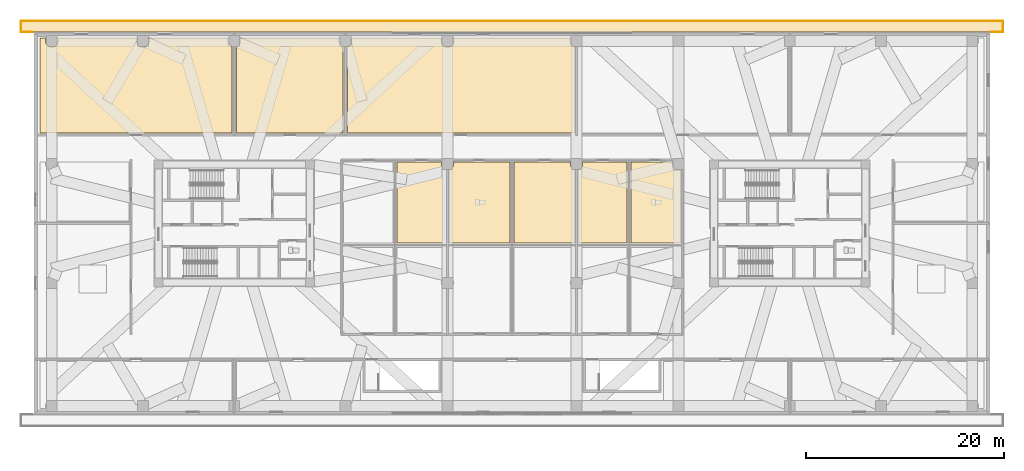
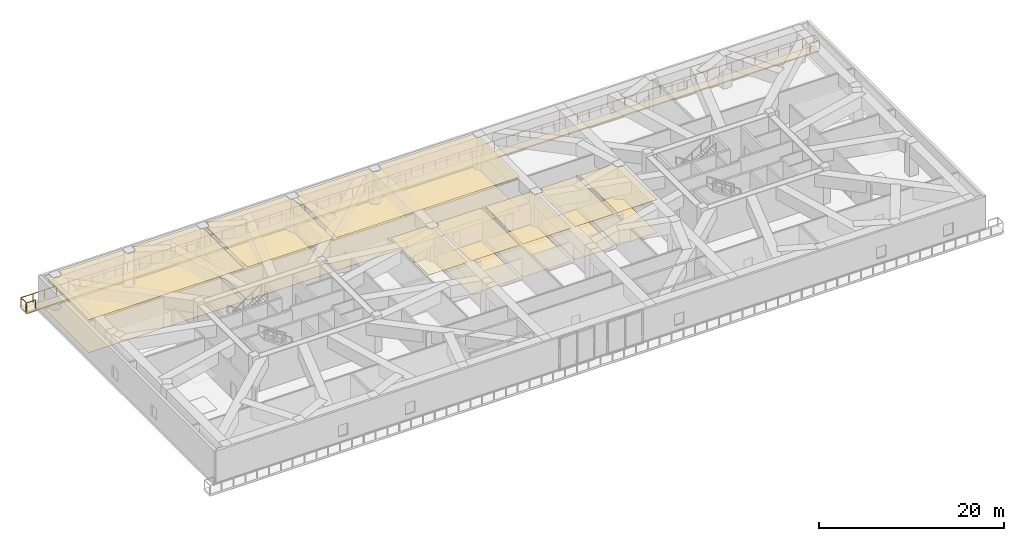
# One storey, part 17 of 21: 16 coverings, 2 railings.
"""IFC4 building model written with IfcOpenShell, lengths in metres."""

from ifc_helpers import new_model, si_unit, direction, frame, origin, origin_2d, place, context, subcontext, project, spatial, polyline, rectangle, outline, extrude, material, layer, layer_set, type_object, element, save


model = new_model("IFC4")

# Units and contexts
model_context = context("Model", 3, precision=1e-05, world=origin(), true_north=direction((0.0, 1.0)))
body_context = subcontext(model_context, "Body", "Model", "MODEL_VIEW")
ifc_project = project(units=[si_unit("LENGTHUNIT", "METRE"), si_unit("AREAUNIT", "SQUARE_METRE"), si_unit("VOLUMEUNIT", "CUBIC_METRE"), si_unit("PLANEANGLEUNIT", "RADIAN"), si_unit("MASSUNIT", "GRAM", prefix="KILO")], contexts=[model_context])

# Site, building, storey
site_placement = place(None, origin())
site = spatial("IfcSite", under=ifc_project, at=site_placement, CompositionType="ELEMENT")
building_placement = place(site_placement, origin())
building = spatial("IfcBuilding", under=site, at=building_placement, Name="Norrkilde Senior Care Towers", CompositionType="ELEMENT")
storey_placement = place(building_placement, frame((0.0, 0.0, 16.800048828125)))
storey = spatial("IfcBuildingStorey", under=building, at=storey_placement, Name="L04", CompositionType="ELEMENT", Elevation=16.800048828125)

# Coverings
ifc_material_1 = material(Name="Nordic Ash Timber", Category="wood")
ifc_layer_1 = layer(ifc_material_1, 0.044921875)
ifc_layer_set_1 = layer_set([ifc_layer_1], Name="Nordic Ash Timber")
covering_type_1 = type_object("IfcCoveringType", Name="Acoustic Ash Timber Slatted Ceiling 45", PredefinedType="CEILING", material=ifc_layer_set_1)
covering_1_placement = place(storey_placement, frame((0.0, 0.0, 4.3349609375)))
element("IfcCovering", 1, at=covering_1_placement, inside=storey, type_object=covering_type_1, Name="L04 Suspended Ceiling 0109", PredefinedType="CEILING", context=body_context, shape_type="SweptSolid", body=[
    extrude(outline(polyline([(11.580078125, -1.97998046875), (6.719970703125, -1.97998046875), (6.719970703125, 5.4150390625), (6.81494140625, 5.454345703125), (6.945556640625, 5.554443359375), (7.045654296875, 5.68505859375), (7.108642578125, 5.8369140625), (7.1298828125, 6.0), (7.108642578125, 6.1630859375), (7.1015625, 6.179931640625), (11.580078125, 6.179931640625), (11.580078125, -1.97998046875)])), origin(), (0.0, 0.0, 1.0), 0.044921875),
])
covering_2_placement = place(storey_placement, frame((0.0, 0.0, 4.3349609375)))
element("IfcCovering", 2, at=covering_2_placement, inside=storey, type_object=covering_type_1, Name="L04 Suspended Ceiling 0112", PredefinedType="CEILING", context=body_context, shape_type="SweptSolid", body=[
    extrude(outline(polyline([(-47.580078125, 18.679931640625), (-46.960205078125, 18.679931640625), (-47.008544921875, 18.56298828125), (-47.030029296875, 18.39990234375), (-47.008544921875, 18.237060546875), (-46.945556640625, 18.0849609375), (-46.845458984375, 17.95458984375), (-46.715087890625, 17.8544921875), (-46.56298828125, 17.79150390625), (-46.39990234375, 17.77001953125), (-46.237060546875, 17.79150390625), (-46.0849609375, 17.8544921875), (-45.95458984375, 17.95458984375), (-45.8544921875, 18.0849609375), (-45.79150390625, 18.237060546875), (-45.77001953125, 18.39990234375), (-45.79150390625, 18.56298828125), (-45.83984375, 18.679931640625), (-37.760009765625, 18.679931640625), (-37.80859375, 18.56298828125), (-37.830078125, 18.39990234375), (-37.80859375, 18.237060546875), (-37.74560546875, 18.0849609375), (-37.6455078125, 17.95458984375), (-37.514892578125, 17.8544921875), (-37.363037109375, 17.79150390625), (-37.199951171875, 17.77001953125), (-37.036865234375, 17.79150390625), (-36.885009765625, 17.8544921875), (-36.754638671875, 17.95458984375), (-36.654296875, 18.0849609375), (-36.591552734375, 18.237060546875), (-36.570068359375, 18.39990234375), (-36.591552734375, 18.56298828125), (-36.639892578125, 18.679931640625), (-28.56005859375, 18.679931640625), (-28.608642578125, 18.56298828125), (-28.6298828125, 18.39990234375), (-28.608642578125, 18.237060546875), (-28.545654296875, 18.0849609375), (-28.445556640625, 17.95458984375), (-28.31494140625, 17.8544921875), (-28.219970703125, 17.81494140625), (-28.219970703125, 9.1201171875), (-47.580078125, 9.1201171875), (-47.580078125, 18.679931640625)])), origin(), (0.0, 0.0, 1.0), 0.044921875),
])
covering_3_placement = place(storey_placement, frame((0.0, 0.0, 4.3349609375)))
element("IfcCovering", 3, at=covering_3_placement, inside=storey, type_object=covering_type_1, Name="L04 Suspended Ceiling 0113", PredefinedType="CEILING", context=body_context, shape_type="SweptSolid", body=[
    extrude(outline(polyline([(-27.780029296875, 9.1201171875), (-27.780029296875, 17.81494140625), (-27.68505859375, 17.8544921875), (-27.554443359375, 17.95458984375), (-27.454345703125, 18.0849609375), (-27.391357421875, 18.237060546875), (-27.3701171875, 18.39990234375), (-27.391357421875, 18.56298828125), (-27.43994140625, 18.679931640625), (-17.360107421875, 18.679931640625), (-17.408447265625, 18.56298828125), (-17.429931640625, 18.39990234375), (-17.408447265625, 18.237060546875), (-17.345703125, 18.0849609375), (-17.245361328125, 17.95458984375), (-17.114990234375, 17.8544921875), (-17.02001953125, 17.81494140625), (-17.02001953125, 9.1201171875), (-27.780029296875, 9.1201171875)])), origin(), (0.0, 0.0, 1.0), 0.044921875),
])

# Railings
ifc_material_2 = material(Name="Anodised Aluminium", Category="aluminium")
railing_type = type_object("IfcRailingType", Name="Balcony Swirl Ribbon Guardrail 1150", PredefinedType="GUARDRAIL", material=ifc_material_2)
railing_1_placement = place(storey_placement, frame((-49.52001953125, 19.284912109375, 0.0)))
element("IfcRailing", 4, at=railing_1_placement, inside=storey, type_object=railing_type, Name="L04 Perimeter Safety Guard 03", PredefinedType="GUARDRAIL", context=body_context, shape_type="SweptSolid", body=[
    extrude(rectangle(XDim=0.048095703125, YDim=0.048095703125, at=origin_2d()), frame((0.0, 0.0, 1.1259765625), z_axis=(0.0, 1.0, 0.0), x_axis=(-1.0, 0.0, 0.0)), (0.0, 0.0, 1.0), 1.09423828125),
    extrude(rectangle(XDim=0.048095703125, YDim=0.048095703125, at=origin_2d()), frame((0.040771484375, 1.135009765625, 1.1259765625), z_axis=(1.0, 0.0, 0.0), x_axis=(0.0, 1.0, 0.0)), (0.0, 0.0, 1.0), 98.958251953125),
    extrude(rectangle(XDim=0.048095703125, YDim=0.048095703125, at=origin_2d()), frame((99.0400390625, 1.09423828125, 1.1259765625), z_axis=(0.0, -1.0, 0.0), x_axis=(1.0, 0.0, 0.0)), (0.0, 0.0, 1.0), 1.05322265625),
    extrude(rectangle(XDim=0.048095703125, YDim=0.048095703125, at=origin_2d()), frame((98.999267578125, 0.0, 1.1259765625), z_axis=(-1.0, 0.0, 0.0), x_axis=(0.0, -1.0, 0.0)), (0.0, 0.0, 1.0), 1.12060546875),
    extrude(rectangle(XDim=0.0419921875, YDim=0.0419921875, at=origin_2d()), origin(), (0.0, 0.0, 1.0), 1.099853515625),
    extrude(rectangle(XDim=0.0419921875, YDim=0.0419921875, at=origin_2d()), frame((0.0, 1.135009765625, 0.0)), (0.0, 0.0, 1.0), 1.099853515625),
    extrude(rectangle(XDim=0.0419921875, YDim=0.0419921875, at=origin_2d()), frame((1.478271484375, 1.135009765625, 0.0)), (0.0, 0.0, 1.0), 1.099853515625),
    extrude(rectangle(XDim=0.0419921875, YDim=0.0419921875, at=origin_2d()), frame((2.956298828125, 1.135009765625, 0.0)), (0.0, 0.0, 1.0), 1.099853515625),
    extrude(rectangle(XDim=0.0419921875, YDim=0.0419921875, at=origin_2d()), frame((4.4345703125, 1.135009765625, 0.0)), (0.0, 0.0, 1.0), 1.099853515625),
    extrude(rectangle(XDim=0.0419921875, YDim=0.0419921875, at=origin_2d()), frame((5.912841796875, 1.135009765625, 0.0)), (0.0, 0.0, 1.0), 1.099853515625),
    extrude(rectangle(XDim=0.0419921875, YDim=0.0419921875, at=origin_2d()), frame((7.39111328125, 1.135009765625, 0.0)), (0.0, 0.0, 1.0), 1.099853515625),
    extrude(rectangle(XDim=0.0419921875, YDim=0.0419921875, at=origin_2d()), frame((8.869140625, 1.135009765625, 0.0)), (0.0, 0.0, 1.0), 1.099853515625),
    extrude(rectangle(XDim=0.0419921875, YDim=0.0419921875, at=origin_2d()), frame((10.347412109375, 1.135009765625, 0.0)), (0.0, 0.0, 1.0), 1.099853515625),
    extrude(rectangle(XDim=0.0419921875, YDim=0.0419921875, at=origin_2d()), frame((11.82568359375, 1.135009765625, 0.0)), (0.0, 0.0, 1.0), 1.099853515625),
    extrude(rectangle(XDim=0.0419921875, YDim=0.0419921875, at=origin_2d()), frame((13.303955078125, 1.135009765625, 0.0)), (0.0, 0.0, 1.0), 1.099853515625),
    extrude(rectangle(XDim=0.0419921875, YDim=0.0419921875, at=origin_2d()), frame((14.781982421875, 1.135009765625, 0.0)), (0.0, 0.0, 1.0), 1.099853515625),
    extrude(rectangle(XDim=0.0419921875, YDim=0.0419921875, at=origin_2d()), frame((16.26025390625, 1.135009765625, 0.0)), (0.0, 0.0, 1.0), 1.099853515625),
    extrude(rectangle(XDim=0.0419921875, YDim=0.0419921875, at=origin_2d()), frame((17.738525390625, 1.135009765625, 0.0)), (0.0, 0.0, 1.0), 1.099853515625),
    extrude(rectangle(XDim=0.0419921875, YDim=0.0419921875, at=origin_2d()), frame((19.216796875, 1.135009765625, 0.0)), (0.0, 0.0, 1.0), 1.099853515625),
    extrude(rectangle(XDim=0.0419921875, YDim=0.0419921875, at=origin_2d()), frame((20.69482421875, 1.135009765625, 0.0)), (0.0, 0.0, 1.0), 1.099853515625),
    extrude(rectangle(XDim=0.0419921875, YDim=0.0419921875, at=origin_2d()), frame((22.173095703125, 1.135009765625, 0.0)), (0.0, 0.0, 1.0), 1.099853515625),
    extrude(rectangle(XDim=0.0419921875, YDim=0.0419921875, at=origin_2d()), frame((23.6513671875, 1.135009765625, 0.0)), (0.0, 0.0, 1.0), 1.099853515625),
    extrude(rectangle(XDim=0.0419921875, YDim=0.0419921875, at=origin_2d()), frame((25.129638671875, 1.135009765625, 0.0)), (0.0, 0.0, 1.0), 1.099853515625),
    extrude(rectangle(XDim=0.0419921875, YDim=0.0419921875, at=origin_2d()), frame((26.607666015625, 1.135009765625, 0.0)), (0.0, 0.0, 1.0), 1.099853515625),
    extrude(rectangle(XDim=0.0419921875, YDim=0.0419921875, at=origin_2d()), frame((28.0859375, 1.135009765625, 0.0)), (0.0, 0.0, 1.0), 1.099853515625),
    extrude(rectangle(XDim=0.0419921875, YDim=0.0419921875, at=origin_2d()), frame((29.564208984375, 1.135009765625, 0.0)), (0.0, 0.0, 1.0), 1.099853515625),
    extrude(rectangle(XDim=0.0419921875, YDim=0.0419921875, at=origin_2d()), frame((31.04248046875, 1.135009765625, 0.0)), (0.0, 0.0, 1.0), 1.099853515625),
    extrude(rectangle(XDim=0.0419921875, YDim=0.0419921875, at=origin_2d()), frame((32.5205078125, 1.135009765625, 0.0)), (0.0, 0.0, 1.0), 1.099853515625),
    extrude(rectangle(XDim=0.0419921875, YDim=0.0419921875, at=origin_2d()), frame((33.998779296875, 1.135009765625, 0.0)), (0.0, 0.0, 1.0), 1.099853515625),
    extrude(rectangle(XDim=0.0419921875, YDim=0.0419921875, at=origin_2d()), frame((35.47705078125, 1.135009765625, 0.0)), (0.0, 0.0, 1.0), 1.099853515625),
    extrude(rectangle(XDim=0.0419921875, YDim=0.0419921875, at=origin_2d()), frame((36.955322265625, 1.135009765625, 0.0)), (0.0, 0.0, 1.0), 1.099853515625),
    extrude(rectangle(XDim=0.0419921875, YDim=0.0419921875, at=origin_2d()), frame((38.433349609375, 1.135009765625, 0.0)), (0.0, 0.0, 1.0), 1.099853515625),
    extrude(rectangle(XDim=0.0419921875, YDim=0.0419921875, at=origin_2d()), frame((39.91162109375, 1.135009765625, 0.0)), (0.0, 0.0, 1.0), 1.099853515625),
    extrude(rectangle(XDim=0.0419921875, YDim=0.0419921875, at=origin_2d()), frame((41.389892578125, 1.135009765625, 0.0)), (0.0, 0.0, 1.0), 1.099853515625),
    extrude(rectangle(XDim=0.0419921875, YDim=0.0419921875, at=origin_2d()), frame((42.8681640625, 1.135009765625, 0.0)), (0.0, 0.0, 1.0), 1.099853515625),
    extrude(rectangle(XDim=0.0419921875, YDim=0.0419921875, at=origin_2d()), frame((44.34619140625, 1.135009765625, 0.0)), (0.0, 0.0, 1.0), 1.099853515625),
    extrude(rectangle(XDim=0.0419921875, YDim=0.0419921875, at=origin_2d()), frame((45.824462890625, 1.135009765625, 0.0)), (0.0, 0.0, 1.0), 1.099853515625),
    extrude(rectangle(XDim=0.0419921875, YDim=0.0419921875, at=origin_2d()), frame((47.302734375, 1.135009765625, 0.0)), (0.0, 0.0, 1.0), 1.099853515625),
    extrude(rectangle(XDim=0.0419921875, YDim=0.0419921875, at=origin_2d()), frame((48.781005859375, 1.135009765625, 0.0)), (0.0, 0.0, 1.0), 1.099853515625),
    extrude(rectangle(XDim=0.0419921875, YDim=0.0419921875, at=origin_2d()), frame((50.259033203125, 1.135009765625, 0.0)), (0.0, 0.0, 1.0), 1.099853515625),
    extrude(rectangle(XDim=0.0419921875, YDim=0.0419921875, at=origin_2d()), frame((51.7373046875, 1.135009765625, 0.0)), (0.0, 0.0, 1.0), 1.099853515625),
    extrude(rectangle(XDim=0.0419921875, YDim=0.0419921875, at=origin_2d()), frame((53.215576171875, 1.135009765625, 0.0)), (0.0, 0.0, 1.0), 1.099853515625),
    extrude(rectangle(XDim=0.0419921875, YDim=0.0419921875, at=origin_2d()), frame((54.69384765625, 1.135009765625, 0.0)), (0.0, 0.0, 1.0), 1.099853515625),
    extrude(rectangle(XDim=0.0419921875, YDim=0.0419921875, at=origin_2d()), frame((56.171875, 1.135009765625, 0.0)), (0.0, 0.0, 1.0), 1.099853515625),
    extrude(rectangle(XDim=0.0419921875, YDim=0.0419921875, at=origin_2d()), frame((57.650146484375, 1.135009765625, 0.0)), (0.0, 0.0, 1.0), 1.099853515625),
    extrude(rectangle(XDim=0.0419921875, YDim=0.0419921875, at=origin_2d()), frame((59.12841796875, 1.135009765625, 0.0)), (0.0, 0.0, 1.0), 1.099853515625),
    extrude(rectangle(XDim=0.0419921875, YDim=0.0419921875, at=origin_2d()), frame((60.606689453125, 1.135009765625, 0.0)), (0.0, 0.0, 1.0), 1.099853515625),
    extrude(rectangle(XDim=0.0419921875, YDim=0.0419921875, at=origin_2d()), frame((62.084716796875, 1.135009765625, 0.0)), (0.0, 0.0, 1.0), 1.099853515625),
    extrude(rectangle(XDim=0.0419921875, YDim=0.0419921875, at=origin_2d()), frame((63.56298828125, 1.135009765625, 0.0)), (0.0, 0.0, 1.0), 1.099853515625),
    extrude(rectangle(XDim=0.0419921875, YDim=0.0419921875, at=origin_2d()), frame((65.041259765625, 1.135009765625, 0.0)), (0.0, 0.0, 1.0), 1.099853515625),
    extrude(rectangle(XDim=0.0419921875, YDim=0.0419921875, at=origin_2d()), frame((66.51953125, 1.135009765625, 0.0)), (0.0, 0.0, 1.0), 1.099853515625),
    extrude(rectangle(XDim=0.0419921875, YDim=0.0419921875, at=origin_2d()), frame((67.99755859375, 1.135009765625, 0.0)), (0.0, 0.0, 1.0), 1.099853515625),
    extrude(rectangle(XDim=0.0419921875, YDim=0.0419921875, at=origin_2d()), frame((69.475830078125, 1.135009765625, 0.0)), (0.0, 0.0, 1.0), 1.099853515625),
    extrude(rectangle(XDim=0.0419921875, YDim=0.0419921875, at=origin_2d()), frame((70.9541015625, 1.135009765625, 0.0)), (0.0, 0.0, 1.0), 1.099853515625),
    extrude(rectangle(XDim=0.0419921875, YDim=0.0419921875, at=origin_2d()), frame((72.432373046875, 1.135009765625, 0.0)), (0.0, 0.0, 1.0), 1.099853515625),
    extrude(rectangle(XDim=0.0419921875, YDim=0.0419921875, at=origin_2d()), frame((73.910400390625, 1.135009765625, 0.0)), (0.0, 0.0, 1.0), 1.099853515625),
    extrude(rectangle(XDim=0.0419921875, YDim=0.0419921875, at=origin_2d()), frame((75.388671875, 1.135009765625, 0.0)), (0.0, 0.0, 1.0), 1.099853515625),
    extrude(rectangle(XDim=0.0419921875, YDim=0.0419921875, at=origin_2d()), frame((76.866943359375, 1.135009765625, 0.0)), (0.0, 0.0, 1.0), 1.099853515625),
    extrude(rectangle(XDim=0.0419921875, YDim=0.0419921875, at=origin_2d()), frame((78.34521484375, 1.135009765625, 0.0)), (0.0, 0.0, 1.0), 1.099853515625),
    extrude(rectangle(XDim=0.0419921875, YDim=0.0419921875, at=origin_2d()), frame((79.8232421875, 1.135009765625, 0.0)), (0.0, 0.0, 1.0), 1.099853515625),
    extrude(rectangle(XDim=0.0419921875, YDim=0.0419921875, at=origin_2d()), frame((81.301513671875, 1.135009765625, 0.0)), (0.0, 0.0, 1.0), 1.099853515625),
    extrude(rectangle(XDim=0.0419921875, YDim=0.0419921875, at=origin_2d()), frame((82.77978515625, 1.135009765625, 0.0)), (0.0, 0.0, 1.0), 1.099853515625),
    extrude(rectangle(XDim=0.0419921875, YDim=0.0419921875, at=origin_2d()), frame((84.258056640625, 1.135009765625, 0.0)), (0.0, 0.0, 1.0), 1.099853515625),
    extrude(rectangle(XDim=0.0419921875, YDim=0.0419921875, at=origin_2d()), frame((85.736083984375, 1.135009765625, 0.0)), (0.0, 0.0, 1.0), 1.099853515625),
    extrude(rectangle(XDim=0.0419921875, YDim=0.0419921875, at=origin_2d()), frame((87.21435546875, 1.135009765625, 0.0)), (0.0, 0.0, 1.0), 1.099853515625),
    extrude(rectangle(XDim=0.0419921875, YDim=0.0419921875, at=origin_2d()), frame((88.692626953125, 1.135009765625, 0.0)), (0.0, 0.0, 1.0), 1.099853515625),
    extrude(rectangle(XDim=0.0419921875, YDim=0.0419921875, at=origin_2d()), frame((90.1708984375, 1.135009765625, 0.0)), (0.0, 0.0, 1.0), 1.099853515625),
    extrude(rectangle(XDim=0.0419921875, YDim=0.0419921875, at=origin_2d()), frame((91.64892578125, 1.135009765625, 0.0)), (0.0, 0.0, 1.0), 1.099853515625),
    extrude(rectangle(XDim=0.0419921875, YDim=0.0419921875, at=origin_2d()), frame((93.127197265625, 1.135009765625, 0.0)), (0.0, 0.0, 1.0), 1.099853515625),
    extrude(rectangle(XDim=0.0419921875, YDim=0.0419921875, at=origin_2d()), frame((94.60546875, 1.135009765625, 0.0)), (0.0, 0.0, 1.0), 1.099853515625),
    extrude(rectangle(XDim=0.0419921875, YDim=0.0419921875, at=origin_2d()), frame((96.083740234375, 1.135009765625, 0.0)), (0.0, 0.0, 1.0), 1.099853515625),
    extrude(rectangle(XDim=0.0419921875, YDim=0.0419921875, at=origin_2d()), frame((97.561767578125, 1.135009765625, 0.0)), (0.0, 0.0, 1.0), 1.099853515625),
    extrude(rectangle(XDim=0.0419921875, YDim=0.0419921875, at=origin_2d()), frame((99.0400390625, 1.135009765625, 0.0)), (0.0, 0.0, 1.0), 1.099853515625),
    extrude(rectangle(XDim=0.0419921875, YDim=0.0419921875, at=origin_2d()), frame((99.0400390625, 0.0, 0.0)), (0.0, 0.0, 1.0), 1.099853515625),
    extrude(rectangle(XDim=0.0419921875, YDim=0.0419921875, at=origin_2d()), frame((97.878662109375, 0.0, 0.0)), (0.0, 0.0, 1.0), 1.099853515625),
])
railing_2_placement = place(storey_placement, frame((-48.358642578125, 19.284912109375, 0.0)))
element("IfcRailing", 5, at=railing_2_placement, inside=storey, type_object=railing_type, Name="L04 Perimeter Safety Guard 04", PredefinedType="GUARDRAIL", context=body_context, shape_type="SweptSolid", body=[
    extrude(rectangle(XDim=0.048095703125, YDim=0.048095703125, at=origin_2d()), frame((0.0, 0.0, 1.1259765625), z_axis=(-1.0, 0.0, 0.0), x_axis=(0.0, -1.0, 0.0)), (0.0, 0.0, 1.0), 1.161376953125),
    extrude(rectangle(XDim=0.0419921875, YDim=0.0419921875, at=origin_2d()), origin(), (0.0, 0.0, 1.0), 1.099853515625),
    extrude(rectangle(XDim=0.0419921875, YDim=0.0419921875, at=origin_2d()), frame((-1.161376953125, 0.0, 0.0)), (0.0, 0.0, 1.0), 1.099853515625),
])

# Coverings
ifc_material_3 = material(Name="EPDM Waterproofing and PIR Insulation")
ifc_layer_2 = layer(ifc_material_3, 0.159912109375)
ifc_layer_set_2 = layer_set([ifc_layer_2], Name="EPDM Waterproofing and PIR Insulation")
covering_type_2 = type_object("IfcCoveringType", Name="Insulated EPDM Roof Membrane 160", PredefinedType="ROOFING", material=ifc_layer_set_2)
covering_4_placement = place(storey_placement, frame((0.0, 0.0, -0.39013671875)))
element("IfcCovering", 6, at=covering_4_placement, inside=storey, type_object=covering_type_2, Name="L04 N Terrace Waterproof Membrane", PredefinedType="ROOFING", context=body_context, shape_type="SweptSolid", body=[
    extrude(outline(polyline([(-49.5, 19.304931640625), (49.5, 19.304931640625), (49.5, 20.39990234375), (-49.5, 20.39990234375), (-49.5, 19.304931640625)])), origin(), (0.0, 0.0, 1.0), 0.16015625),
])
ifc_material_4 = material(Name="Gypsum Acoustic Board")
ifc_layer_3 = layer(ifc_material_4, 0.030029296875)
ifc_layer_set_3 = layer_set([ifc_layer_3], Name="Gypsum Acoustic Board")
covering_type_3 = type_object("IfcCoveringType", Name="Medical Cleanable Gypsum Ceiling 30", PredefinedType="CEILING", material=ifc_layer_set_3)
covering_5_placement = place(storey_placement, frame((0.0, 0.0, 4.349853515625)))
element("IfcCovering", 7, at=covering_5_placement, inside=storey, type_object=covering_type_3, Name="L04 Suspended Ceiling 0103", PredefinedType="CEILING", context=body_context, shape_type="SweptSolid", body=[
    extrude(outline(polyline([(-6.719970703125, -1.97998046875), (-11.580078125, -1.97998046875), (-11.580078125, 6.179931640625), (-7.1015625, 6.179931640625), (-7.108642578125, 6.1630859375), (-7.1298828125, 6.0), (-7.108642578125, 5.8369140625), (-7.045654296875, 5.68505859375), (-6.945556640625, 5.554443359375), (-6.81494140625, 5.454345703125), (-6.719970703125, 5.4150390625), (-6.719970703125, -1.97998046875)])), origin(), (0.0, 0.0, 1.0), 0.030029296875),
])
covering_6_placement = place(storey_placement, frame((0.0, 0.0, 4.349853515625)))
element("IfcCovering", 8, at=covering_6_placement, inside=storey, type_object=covering_type_3, Name="L04 Suspended Ceiling 0105", PredefinedType="CEILING", context=body_context, shape_type="SweptSolid", body=[
    extrude(outline(polyline([(-0.219970703125, -1.97998046875), (-6.280029296875, -1.97998046875), (-6.280029296875, 5.4150390625), (-6.18505859375, 5.454345703125), (-6.054443359375, 5.554443359375), (-5.954345703125, 5.68505859375), (-5.891357421875, 5.8369140625), (-5.8701171875, 6.0), (-5.891357421875, 6.1630859375), (-5.8984375, 6.179931640625), (-0.219970703125, 6.179931640625), (-0.219970703125, -1.97998046875)])), origin(), (0.0, 0.0, 1.0), 0.030029296875),
])
covering_7_placement = place(storey_placement, frame((0.0, 0.0, 4.349853515625)))
element("IfcCovering", 9, at=covering_7_placement, inside=storey, type_object=covering_type_3, Name="L04 Suspended Ceiling 0107", PredefinedType="CEILING", context=body_context, shape_type="SweptSolid", body=[
    extrude(outline(polyline([(6.280029296875, -1.97998046875), (0.219970703125, -1.97998046875), (0.219970703125, 6.179931640625), (5.8984375, 6.179931640625), (5.891357421875, 6.1630859375), (5.8701171875, 6.0), (5.891357421875, 5.8369140625), (5.954345703125, 5.68505859375), (6.054443359375, 5.554443359375), (6.18505859375, 5.454345703125), (6.280029296875, 5.4150390625), (6.280029296875, -1.97998046875)])), origin(), (0.0, 0.0, 1.0), 0.030029296875),
])
covering_8_placement = place(storey_placement, frame((0.0, 0.0, 4.349853515625)))
element("IfcCovering", 10, at=covering_8_placement, inside=storey, type_object=covering_type_3, Name="L04 Suspended Ceiling 0111", PredefinedType="CEILING", context=body_context, shape_type="SweptSolid", body=[
    extrude(outline(polyline([(16.97998046875, -1.97998046875), (12.02001953125, -1.97998046875), (12.02001953125, 6.179931640625), (16.198486328125, 6.179931640625), (16.19140625, 6.1630859375), (16.169921875, 6.0), (16.19140625, 5.8369140625), (16.25439453125, 5.68505859375), (16.3544921875, 5.554443359375), (16.485107421875, 5.454345703125), (16.636962890625, 5.391357421875), (16.800048828125, 5.3701171875), (16.963134765625, 5.391357421875), (16.97998046875, 5.3984375), (16.97998046875, -1.97998046875)])), origin(), (0.0, 0.0, 1.0), 0.030029296875),
])
covering_9_placement = place(storey_placement, frame((0.0, 0.0, 4.349853515625)))
element("IfcCovering", 11, at=covering_9_placement, inside=storey, type_object=covering_type_3, Name="L04 Suspended Ceiling 0114", PredefinedType="CEILING", context=body_context, shape_type="SweptSolid", body=[
    extrude(outline(polyline([(-16.580078125, 17.81494140625), (-16.485107421875, 17.8544921875), (-16.3544921875, 17.95458984375), (-16.25439453125, 18.0849609375), (-16.19140625, 18.237060546875), (-16.169921875, 18.39990234375), (-16.19140625, 18.56298828125), (-16.239990234375, 18.679931640625), (-7.06005859375, 18.679931640625), (-7.108642578125, 18.56298828125), (-7.1298828125, 18.39990234375), (-7.108642578125, 18.237060546875), (-7.045654296875, 18.0849609375), (-6.945556640625, 17.95458984375), (-6.81494140625, 17.8544921875), (-6.6630859375, 17.79150390625), (-6.5, 17.77001953125), (-6.3369140625, 17.79150390625), (-6.18505859375, 17.8544921875), (-6.054443359375, 17.95458984375), (-5.954345703125, 18.0849609375), (-5.891357421875, 18.237060546875), (-5.8701171875, 18.39990234375), (-5.891357421875, 18.56298828125), (-5.93994140625, 18.679931640625), (5.93994140625, 18.679931640625), (5.891357421875, 18.56298828125), (5.8701171875, 18.39990234375), (5.891357421875, 18.237060546875), (5.954345703125, 18.0849609375), (6.054443359375, 17.95458984375), (6.18505859375, 17.8544921875), (6.280029296875, 17.81494140625), (6.280029296875, 9.1201171875), (-16.580078125, 9.1201171875), (-16.580078125, 17.81494140625)])), origin(), (0.0, 0.0, 1.0), 0.030029296875),
])
ifc_material_5 = material(Name="Slip-Resistant Porcelain Stone", Category="masonry")
ifc_layer_4 = layer(ifc_material_5, 0.02490234375)
ifc_layer_set_4 = layer_set([ifc_layer_4], Name="Slip-Resistant Porcelain Stone")
covering_type_4 = type_object("IfcCoveringType", Name="Slip-Resistant Porcelain Flooring 25", PredefinedType="FLOORING", material=ifc_layer_set_4)
covering_10_placement = place(storey_placement, origin())
element("IfcCovering", 12, at=covering_10_placement, inside=storey, type_object=covering_type_4, Name="L04 Floor Finish 0105", PredefinedType="FLOORING", context=body_context, shape_type="SweptSolid", body=[
    extrude(outline(polyline([(-0.219970703125, -1.97998046875), (-6.280029296875, -1.97998046875), (-6.280029296875, 5.4150390625), (-6.18505859375, 5.454345703125), (-6.054443359375, 5.554443359375), (-5.954345703125, 5.68505859375), (-5.891357421875, 5.8369140625), (-5.8701171875, 6.0), (-5.891357421875, 6.1630859375), (-5.8984375, 6.179931640625), (-0.219970703125, 6.179931640625), (-0.219970703125, -1.97998046875)])), origin(), (0.0, 0.0, 1.0), 0.02490234375),
])
covering_11_placement = place(storey_placement, origin())
element("IfcCovering", 13, at=covering_11_placement, inside=storey, type_object=covering_type_4, Name="L04 Floor Finish 0107", PredefinedType="FLOORING", context=body_context, shape_type="SweptSolid", body=[
    extrude(outline(polyline([(6.280029296875, -1.97998046875), (0.219970703125, -1.97998046875), (0.219970703125, 6.179931640625), (5.8984375, 6.179931640625), (5.891357421875, 6.1630859375), (5.8701171875, 6.0), (5.891357421875, 5.8369140625), (5.954345703125, 5.68505859375), (6.054443359375, 5.554443359375), (6.18505859375, 5.454345703125), (6.280029296875, 5.4150390625), (6.280029296875, -1.97998046875)])), origin(), (0.0, 0.0, 1.0), 0.02490234375),
])
covering_12_placement = place(storey_placement, origin())
element("IfcCovering", 14, at=covering_12_placement, inside=storey, type_object=covering_type_4, Name="L04 Floor Finish 0109", PredefinedType="FLOORING", context=body_context, shape_type="SweptSolid", body=[
    extrude(outline(polyline([(11.580078125, -1.97998046875), (6.719970703125, -1.97998046875), (6.719970703125, 5.4150390625), (6.81494140625, 5.454345703125), (6.945556640625, 5.554443359375), (7.045654296875, 5.68505859375), (7.108642578125, 5.8369140625), (7.1298828125, 6.0), (7.108642578125, 6.1630859375), (7.1015625, 6.179931640625), (11.580078125, 6.179931640625), (11.580078125, -1.97998046875)])), origin(), (0.0, 0.0, 1.0), 0.02490234375),
])
covering_13_placement = place(storey_placement, origin())
element("IfcCovering", 15, at=covering_13_placement, inside=storey, type_object=covering_type_4, Name="L04 Floor Finish 0111", PredefinedType="FLOORING", context=body_context, shape_type="SweptSolid", body=[
    extrude(outline(polyline([(16.97998046875, -1.97998046875), (12.02001953125, -1.97998046875), (12.02001953125, 6.179931640625), (16.198486328125, 6.179931640625), (16.19140625, 6.1630859375), (16.169921875, 6.0), (16.19140625, 5.8369140625), (16.25439453125, 5.68505859375), (16.3544921875, 5.554443359375), (16.485107421875, 5.454345703125), (16.636962890625, 5.391357421875), (16.800048828125, 5.3701171875), (16.963134765625, 5.391357421875), (16.97998046875, 5.3984375), (16.97998046875, -1.97998046875)])), origin(), (0.0, 0.0, 1.0), 0.02490234375),
])
covering_14_placement = place(storey_placement, origin())
element("IfcCovering", 16, at=covering_14_placement, inside=storey, type_object=covering_type_4, Name="L04 Floor Finish 0112", PredefinedType="FLOORING", context=body_context, shape_type="SweptSolid", body=[
    extrude(outline(polyline([(-47.580078125, 18.679931640625), (-46.960205078125, 18.679931640625), (-47.008544921875, 18.56298828125), (-47.030029296875, 18.39990234375), (-47.008544921875, 18.237060546875), (-46.945556640625, 18.0849609375), (-46.845458984375, 17.95458984375), (-46.715087890625, 17.8544921875), (-46.56298828125, 17.79150390625), (-46.39990234375, 17.77001953125), (-46.237060546875, 17.79150390625), (-46.0849609375, 17.8544921875), (-45.95458984375, 17.95458984375), (-45.8544921875, 18.0849609375), (-45.79150390625, 18.237060546875), (-45.77001953125, 18.39990234375), (-45.79150390625, 18.56298828125), (-45.83984375, 18.679931640625), (-37.760009765625, 18.679931640625), (-37.80859375, 18.56298828125), (-37.830078125, 18.39990234375), (-37.80859375, 18.237060546875), (-37.74560546875, 18.0849609375), (-37.6455078125, 17.95458984375), (-37.514892578125, 17.8544921875), (-37.363037109375, 17.79150390625), (-37.199951171875, 17.77001953125), (-37.036865234375, 17.79150390625), (-36.885009765625, 17.8544921875), (-36.754638671875, 17.95458984375), (-36.654296875, 18.0849609375), (-36.591552734375, 18.237060546875), (-36.570068359375, 18.39990234375), (-36.591552734375, 18.56298828125), (-36.639892578125, 18.679931640625), (-28.56005859375, 18.679931640625), (-28.608642578125, 18.56298828125), (-28.6298828125, 18.39990234375), (-28.608642578125, 18.237060546875), (-28.545654296875, 18.0849609375), (-28.445556640625, 17.95458984375), (-28.31494140625, 17.8544921875), (-28.219970703125, 17.81494140625), (-28.219970703125, 9.1201171875), (-47.580078125, 9.1201171875), (-47.580078125, 18.679931640625)])), origin(), (0.0, 0.0, 1.0), 0.02490234375),
])
covering_15_placement = place(storey_placement, origin())
element("IfcCovering", 17, at=covering_15_placement, inside=storey, type_object=covering_type_4, Name="L04 Floor Finish 0113", PredefinedType="FLOORING", context=body_context, shape_type="SweptSolid", body=[
    extrude(outline(polyline([(-27.780029296875, 9.1201171875), (-27.780029296875, 17.81494140625), (-27.68505859375, 17.8544921875), (-27.554443359375, 17.95458984375), (-27.454345703125, 18.0849609375), (-27.391357421875, 18.237060546875), (-27.3701171875, 18.39990234375), (-27.391357421875, 18.56298828125), (-27.43994140625, 18.679931640625), (-17.360107421875, 18.679931640625), (-17.408447265625, 18.56298828125), (-17.429931640625, 18.39990234375), (-17.408447265625, 18.237060546875), (-17.345703125, 18.0849609375), (-17.245361328125, 17.95458984375), (-17.114990234375, 17.8544921875), (-17.02001953125, 17.81494140625), (-17.02001953125, 9.1201171875), (-27.780029296875, 9.1201171875)])), origin(), (0.0, 0.0, 1.0), 0.02490234375),
])
covering_16_placement = place(storey_placement, origin())
element("IfcCovering", 18, at=covering_16_placement, inside=storey, type_object=covering_type_4, Name="L04 Floor Finish 0114", PredefinedType="FLOORING", context=body_context, shape_type="SweptSolid", body=[
    extrude(outline(polyline([(-16.580078125, 17.81494140625), (-16.485107421875, 17.8544921875), (-16.3544921875, 17.95458984375), (-16.25439453125, 18.0849609375), (-16.19140625, 18.237060546875), (-16.169921875, 18.39990234375), (-16.19140625, 18.56298828125), (-16.239990234375, 18.679931640625), (-7.06005859375, 18.679931640625), (-7.108642578125, 18.56298828125), (-7.1298828125, 18.39990234375), (-7.108642578125, 18.237060546875), (-7.045654296875, 18.0849609375), (-6.945556640625, 17.95458984375), (-6.81494140625, 17.8544921875), (-6.6630859375, 17.79150390625), (-6.5, 17.77001953125), (-6.3369140625, 17.79150390625), (-6.18505859375, 17.8544921875), (-6.054443359375, 17.95458984375), (-5.954345703125, 18.0849609375), (-5.891357421875, 18.237060546875), (-5.8701171875, 18.39990234375), (-5.891357421875, 18.56298828125), (-5.93994140625, 18.679931640625), (5.93994140625, 18.679931640625), (5.891357421875, 18.56298828125), (5.8701171875, 18.39990234375), (5.891357421875, 18.237060546875), (5.954345703125, 18.0849609375), (6.054443359375, 17.95458984375), (6.18505859375, 17.8544921875), (6.280029296875, 17.81494140625), (6.280029296875, 9.1201171875), (-16.580078125, 9.1201171875), (-16.580078125, 17.81494140625)])), origin(), (0.0, 0.0, 1.0), 0.02490234375),
])

save(model, "model.ifc")
